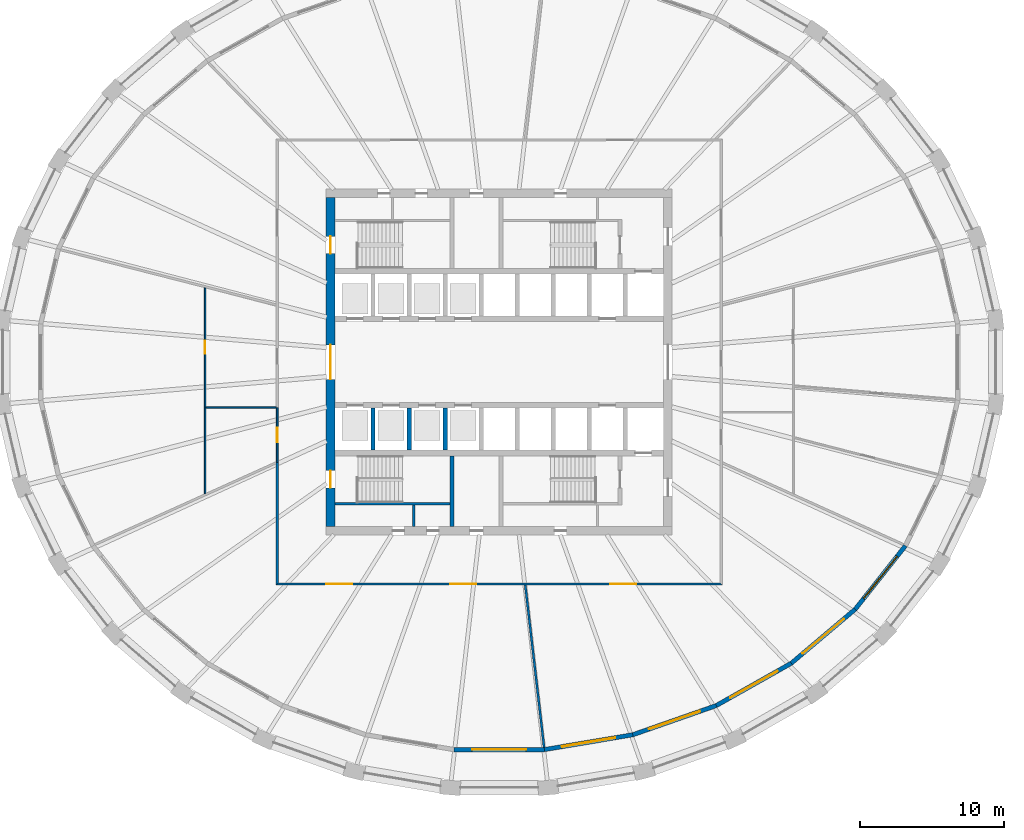
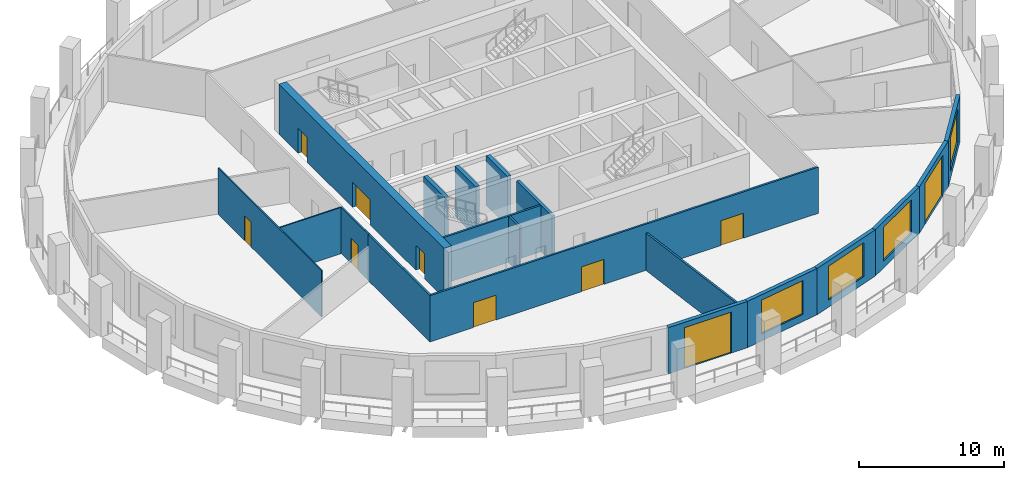
# One storey, part 3 of 10: 19 walls, 10 doors, 4 windows, 14 openings.
"""IFC4 building model written with IfcOpenShell, lengths in metres."""

from ifc_helpers import new_model, si_unit, direction, frame, frame_2d, origin, place, context, subcontext, project, spatial, polyline, rectangle, outline, extrude, material, layer, layer_set, type_object, element, fill, save


model = new_model("IFC4")

# Units and contexts
model_context = context("Model", 3, precision=1e-05, world=origin(), true_north=direction((0.0, 1.0)))
body_context = subcontext(model_context, "Body", "Model", "MODEL_VIEW")
ifc_project = project(units=[si_unit("LENGTHUNIT", "METRE"), si_unit("AREAUNIT", "SQUARE_METRE"), si_unit("VOLUMEUNIT", "CUBIC_METRE"), si_unit("PLANEANGLEUNIT", "RADIAN"), si_unit("MASSUNIT", "GRAM", prefix="KILO")], contexts=[model_context])

# Site, building, storey
site_placement = place(None, origin())
site = spatial("IfcSite", under=ifc_project, at=site_placement, CompositionType="ELEMENT")
building_placement = place(site_placement, origin())
building = spatial("IfcBuilding", under=site, at=building_placement, Name="Halqa Exchange Tower", CompositionType="ELEMENT")
storey_placement = place(building_placement, frame((0.0, 0.0, 133.89990234375)))
storey = spatial("IfcBuildingStorey", under=building, at=storey_placement, Name="L30", CompositionType="ELEMENT", Elevation=133.89990234375)

# Wall
ifc_material_1 = material(Name="Fire-rated gypsum board")
ifc_layer_1 = layer(ifc_material_1, 0.14990234375)
ifc_layer_set_1 = layer_set([ifc_layer_1], Name="Fire-rated gypsum board")
wall_type_1 = type_object("IfcWallType", Name="Fire partition EI 60 150", PredefinedType="PARTITIONING", material=ifc_layer_set_1)
wall_1_placement = place(storey_placement, frame((-15.39990234375, -15.47509765625, 0.0), z_axis=(0.0, 0.0, 1.0), x_axis=(0.0, 1.0, 0.0)))
element("IfcWall", 1, at=wall_1_placement, inside=storey, type_object=wall_type_1, Name="L30-PWL-005", PredefinedType="PARTITIONING", context=body_context, shape_type="SweptSolid", body=[
    extrude(outline(polyline([(8.525146484375, 0.074951171875), (6.820068359375, 0.074951171875), (5.115234375, 0.074951171875), (3.41015625, 0.074951171875), (1.705322265625, 0.074951171875), (0.000244140625, 0.074951171875), (0.150146484375, -0.074951171875), (1.8251953125, -0.074951171875), (3.500244140625, -0.074951171875), (5.175048828125, -0.074951171875), (6.85009765625, -0.074951171875), (8.525146484375, -0.074951171875), (8.525146484375, 0.074951171875)])), origin(), (0.0, 0.0, 1.0), 3.900146484375),
])

# Wall, openings, doors
wall_2_placement = place(storey_placement, frame((-15.47509765625, -15.39990234375, 0.0), z_axis=(0.0, 0.0, 1.0), x_axis=(1.0, 0.0, 0.0)))
wall_2 = element("IfcWall", 2, at=wall_2_placement, inside=storey, type_object=wall_type_1, Name="L30-PWL-006", PredefinedType="PARTITIONING", context=body_context, shape_type="SweptSolid", body=[
    extrude(outline(polyline([(0.000244140625, -0.074951171875), (1.9345703125, -0.074951171875), (3.868896484375, -0.074951171875), (5.80322265625, -0.074951171875), (7.73779296875, -0.074951171875), (9.672119140625, -0.074951171875), (11.6064453125, -0.074951171875), (13.540771484375, -0.074951171875), (15.47509765625, -0.074951171875), (17.409423828125, -0.074951171875), (19.34375, -0.074951171875), (21.278076171875, -0.074951171875), (23.21240234375, -0.074951171875), (25.14697265625, -0.074951171875), (27.081298828125, -0.074951171875), (29.015625, -0.074951171875), (30.949951171875, -0.074951171875), (30.800048828125, 0.074951171875), (28.884521484375, 0.074951171875), (26.96875, 0.074951171875), (25.05322265625, 0.074951171875), (23.1376953125, 0.074951171875), (21.221923828125, 0.074951171875), (19.306396484375, 0.074951171875), (17.390625, 0.074951171875), (15.47509765625, 0.074951171875), (13.5595703125, 0.074951171875), (11.643798828125, 0.074951171875), (9.728271484375, 0.074951171875), (7.8125, 0.074951171875), (5.89697265625, 0.074951171875), (3.9814453125, 0.074951171875), (2.065673828125, 0.074951171875), (0.150146484375, 0.074951171875), (0.000244140625, -0.074951171875)])), origin(), (0.0, 0.0, 1.0), 3.900146484375),
])
opening_1_placement = place(wall_2_placement, frame((3.47509765625, 0.0, 0.0)))
opening_1 = element("IfcOpeningElement", 3, at=opening_1_placement, cuts=wall_2, Name="Opening 09-06", PredefinedType="OPENING", context=body_context, shape_type="SweptSolid", body=[
    extrude(rectangle(XDim=1.800048828125, YDim=2.10009765625, at=frame_2d((0.89990234375, 1.050048828125))), frame((0.0, 0.0869140625, 0.0), z_axis=(0.0, -1.0, 0.0), x_axis=(1.0, 0.0, 0.0)), (0.0, 0.0, 1.0), 0.173828125),
])
opening_2_placement = place(wall_2_placement, frame((12.074951171875, 0.0, 0.0)))
opening_2 = element("IfcOpeningElement", 4, at=opening_2_placement, cuts=wall_2, Name="Opening 09-07", PredefinedType="OPENING", context=body_context, shape_type="SweptSolid", body=[
    extrude(rectangle(XDim=1.800048828125, YDim=2.10009765625, at=frame_2d((0.89990234375, 1.050048828125))), frame((0.0, 0.0869140625, 0.0), z_axis=(0.0, -1.0, 0.0), x_axis=(1.0, 0.0, 0.0)), (0.0, 0.0, 1.0), 0.173828125),
])
opening_3_placement = place(wall_2_placement, frame((23.175048828125, 0.0, 0.0)))
opening_3 = element("IfcOpeningElement", 5, at=opening_3_placement, cuts=wall_2, Name="Opening 09-08", PredefinedType="OPENING", context=body_context, shape_type="SweptSolid", body=[
    extrude(rectangle(XDim=1.800048828125, YDim=2.10009765625, at=frame_2d((0.89990234375, 1.050048828125))), frame((0.0, 0.0869140625, 0.0), z_axis=(0.0, -1.0, 0.0), x_axis=(1.0, 0.0, 0.0)), (0.0, 0.0, 1.0), 0.173828125),
])
ifc_material_2 = material(Name="Steel fire door leaf", Category="steel")
door_type_1 = type_object("IfcDoorType", Name="Fire door FD30S double 1800 x 2100", OperationType="DOUBLE_DOOR_SINGLE_SWING", PredefinedType="DOOR", material=ifc_material_2)
door_1_placement = place(opening_1_placement, frame((1.800048828125, 0.0, 0.0), z_axis=(0.0, 0.0, 1.0), x_axis=(-1.0, 0.0, 0.0)))
door_1 = element("IfcDoor", 6, at=door_1_placement, inside=storey, type_object=door_type_1, Name="L30-IDR-006", OperationType="DOUBLE_DOOR_SINGLE_SWING", OverallHeight=2.10009765625, OverallWidth=1.800048828125, PredefinedType="DOOR", context=body_context, shape_type="SweptSolid", body=[
    extrude(rectangle(XDim=1.800048828125, YDim=2.10009765625, at=frame_2d((0.89990234375, 1.050048828125))), frame((0.0, 0.02490234375, 0.0), z_axis=(0.0, -1.0, 0.0), x_axis=(1.0, 0.0, 0.0)), (0.0, 0.0, 1.0), 0.050048828125),
])
fill(opening_1, door_1)
door_2_placement = place(opening_2_placement, frame((1.800048828125, 0.0, 0.0), z_axis=(0.0, 0.0, 1.0), x_axis=(-1.0, 0.0, 0.0)))
door_2 = element("IfcDoor", 7, at=door_2_placement, inside=storey, type_object=door_type_1, Name="L30-IDR-007", OperationType="DOUBLE_DOOR_SINGLE_SWING", OverallHeight=2.10009765625, OverallWidth=1.800048828125, PredefinedType="DOOR", context=body_context, shape_type="SweptSolid", body=[
    extrude(rectangle(XDim=1.800048828125, YDim=2.10009765625, at=frame_2d((0.89990234375, 1.050048828125))), frame((0.0, 0.02490234375, 0.0), z_axis=(0.0, -1.0, 0.0), x_axis=(1.0, 0.0, 0.0)), (0.0, 0.0, 1.0), 0.050048828125),
])
fill(opening_2, door_2)
door_3_placement = place(opening_3_placement, frame((1.800048828125, 0.0, 0.0), z_axis=(0.0, 0.0, 1.0), x_axis=(-1.0, 0.0, 0.0)))
door_3 = element("IfcDoor", 8, at=door_3_placement, inside=storey, type_object=door_type_1, Name="L30-IDR-008", OperationType="DOUBLE_DOOR_SINGLE_SWING", OverallHeight=2.10009765625, OverallWidth=1.800048828125, PredefinedType="DOOR", context=body_context, shape_type="SweptSolid", body=[
    extrude(rectangle(XDim=1.800048828125, YDim=2.10009765625, at=frame_2d((0.89990234375, 1.050048828125))), frame((0.0, 0.02490234375, 0.0), z_axis=(0.0, -1.0, 0.0), x_axis=(1.0, 0.0, 0.0)), (0.0, 0.0, 1.0), 0.050048828125),
])
fill(opening_3, door_3)

# Wall
wall_3_placement = place(storey_placement, frame((1.8076171875, -15.466552734375, 0.0), z_axis=(0.0, 0.0, 1.0), x_axis=(0.115308163836, -0.993329767677, 0.0)))
element("IfcWall", 9, at=wall_3_placement, inside=storey, type_object=wall_type_1, Name="L30-PWL-011", PredefinedType="PARTITIONING", context=body_context, shape_type="SweptSolid", body=[
    extrude(outline(polyline([(0.0, -0.074951171875), (1.888916015625, -0.074951171875), (3.777587890625, -0.074951171875), (5.66650390625, -0.074951171875), (7.55517578125, -0.074951171875), (9.444091796875, -0.074951171875), (11.332763671875, -0.074951171875), (11.338134765625, -0.029052734375), (11.338134765625, 0.072509765625), (11.337890625, 0.074951171875), (9.451171875, 0.074951171875), (7.564453125, 0.074951171875), (5.677490234375, 0.074951171875), (3.790771484375, 0.074951171875), (1.904052734375, 0.074951171875), (0.01708984375, 0.074951171875), (0.0, -0.0732421875), (0.0, -0.074951171875)])), origin(), (0.0, 0.0, 1.0), 3.147216796875),
])

# Wall, opening, door
ifc_material_3 = material(Name="Fire-rated glazing", Category="glass")
ifc_layer_2 = layer(ifc_material_3, 0.1201171875)
ifc_layer_set_2 = layer_set([ifc_layer_2], Name="Fire-rated glazing")
wall_type_2 = type_object("IfcWallType", Name="Glazed fire partition EI 60 120", PredefinedType="PARTITIONING", material=ifc_layer_set_2)
wall_4_placement = place(storey_placement, frame((-15.39990234375, -6.949951171875, 0.0), z_axis=(0.0, 0.0, 1.0), x_axis=(0.0, 1.0, 0.0)))
wall_4 = element("IfcWall", 10, at=wall_4_placement, inside=storey, type_object=wall_type_2, Name="L30-PWL-007", PredefinedType="PARTITIONING", context=body_context, shape_type="SweptSolid", body=[
    extrude(rectangle(XDim=3.7900390625, YDim=0.1201171875, at=frame_2d((1.89501953125, 0.0))), origin(), (0.0, 0.0, 1.0), 3.900146484375),
])
opening_4_placement = place(wall_4_placement, frame((1.39501953125, 0.0, 0.0)))
opening_4 = element("IfcOpeningElement", 11, at=opening_4_placement, cuts=wall_4, Name="Opening 09-04", PredefinedType="OPENING", context=body_context, shape_type="SweptSolid", body=[
    extrude(rectangle(XDim=1.0, YDim=2.10009765625, at=frame_2d((0.5, 1.050048828125))), frame((0.0, 0.072021484375, 0.0), z_axis=(0.0, -1.0, 0.0), x_axis=(1.0, 0.0, 0.0)), (0.0, 0.0, 1.0), 0.14404296875),
])
door_type_2 = type_object("IfcDoorType", Name="Fire door FD30S 1000 x 2100", OperationType="SINGLE_SWING_LEFT", PredefinedType="DOOR", material=ifc_material_2)
door_4_placement = place(opening_4_placement, origin())
door_4 = element("IfcDoor", 12, at=door_4_placement, inside=storey, type_object=door_type_2, Name="L30-IDR-004", OperationType="SINGLE_SWING_LEFT", OverallHeight=2.10009765625, OverallWidth=1.0, PredefinedType="DOOR", context=body_context, shape_type="SweptSolid", body=[
    extrude(rectangle(XDim=1.0, YDim=2.10009765625, at=frame_2d((0.5, 1.050048828125))), frame((0.0, 0.02490234375, 0.0), z_axis=(0.0, -1.0, 0.0), x_axis=(1.0, 0.0, 0.0)), (0.0, 0.0, 1.0), 0.050048828125),
])
fill(opening_4, door_4)

ifc_material_4 = material(Name="Gypsum board")
ifc_layer_3 = layer(ifc_material_4, 0.10009765625)
ifc_layer_set_3 = layer_set([ifc_layer_3], Name="Gypsum board")
wall_type_3 = type_object("IfcWallType", Name="Partition 100 gypsum", PredefinedType="PARTITIONING", material=ifc_layer_set_3)
wall_5_placement = place(storey_placement, frame((-20.39990234375, -9.1484375, 0.0), z_axis=(0.0, 0.0, 1.0), x_axis=(0.0, 1.0, 0.0)))
wall_5 = element("IfcWall", 13, at=wall_5_placement, inside=storey, type_object=wall_type_3, Name="L30-PWL-003", PredefinedType="PARTITIONING", context=body_context, shape_type="SweptSolid", body=[
    extrude(outline(polyline([(0.044921875, -0.050048828125), (2.009521484375, -0.050048828125), (3.973876953125, -0.050048828125), (5.9384765625, -0.050048828125), (5.9384765625, -0.0498046875), (6.038330078125, -0.0498046875), (6.038330078125, -0.050048828125), (7.68798828125, -0.050048828125), (9.337890625, -0.050048828125), (10.987548828125, -0.050048828125), (12.63720703125, -0.050048828125), (14.286865234375, -0.050048828125), (14.31201171875, 0.048828125), (14.31201171875, 0.050048828125), (12.52294921875, 0.050048828125), (10.73388671875, 0.050048828125), (8.945068359375, 0.050048828125), (7.156005859375, 0.050048828125), (5.366943359375, 0.050048828125), (3.578125, 0.050048828125), (1.7890625, 0.050048828125), (0.0, 0.050048828125), (0.0, 0.049560546875), (0.044921875, -0.050048828125)])), origin(), (0.0, 0.0, 1.0), 3.900146484375),
])
opening_5_placement = place(wall_5_placement, frame((9.7333984375, 0.0, 0.0)))
opening_5 = element("IfcOpeningElement", 14, at=opening_5_placement, cuts=wall_5, Name="Opening 09-12", PredefinedType="OPENING", context=body_context, shape_type="SweptSolid", body=[
    extrude(rectangle(XDim=0.89990234375, YDim=2.10009765625, at=frame_2d((0.449951171875, 1.050048828125))), frame((0.0, 0.06201171875, 0.0), z_axis=(0.0, -1.0, 0.0), x_axis=(1.0, 0.0, 0.0)), (0.0, 0.0, 1.0), 0.1240234375),
])
ifc_material_5 = material(Name="Timber door leaf", Category="wood")
door_type_3 = type_object("IfcDoorType", Name="Door 900 x 2100", OperationType="SINGLE_SWING_LEFT", PredefinedType="DOOR", material=ifc_material_5)
door_5_placement = place(opening_5_placement, frame((0.89990234375, 0.0, 0.0), z_axis=(0.0, 0.0, 1.0), x_axis=(-1.0, 0.0, 0.0)))
door_5 = element("IfcDoor", 15, at=door_5_placement, inside=storey, type_object=door_type_3, Name="L30-IDR-012", OperationType="SINGLE_SWING_RIGHT", OverallHeight=2.10009765625, OverallWidth=0.89990234375, PredefinedType="DOOR", context=body_context, shape_type="SweptSolid", body=[
    extrude(rectangle(XDim=0.89990234375, YDim=2.10009765625, at=frame_2d((0.449951171875, 1.050048828125))), frame((0.0, 0.02490234375, 0.0), z_axis=(0.0, -1.0, 0.0), x_axis=(1.0, 0.0, 0.0)), (0.0, 0.0, 1.0), 0.050048828125),
])
fill(opening_5, door_5)

# Walls
wall_6_placement = place(storey_placement, frame((-20.35009765625, -3.159912109375, 0.0), z_axis=(0.0, 0.0, 1.0), x_axis=(1.0, 0.0, 0.0)))
element("IfcWall", 16, at=wall_6_placement, inside=storey, type_object=wall_type_3, Name="L30-PWL-004", PredefinedType="PARTITIONING", context=body_context, shape_type="SweptSolid", body=[
    extrude(outline(polyline([(4.8896484375, -0.050048828125), (4.8896484375, 0.0), (4.875, 0.0), (4.875, 0.050048828125), (3.25, 0.050048828125), (1.625, 0.050048828125), (0.0, 0.050048828125), (0.0, -0.050048828125), (1.6298828125, -0.050048828125), (3.259765625, -0.050048828125), (4.8896484375, -0.050048828125)])), origin(), (0.0, 0.0, 1.0), 3.900146484375),
])
ifc_layer_4 = layer(ifc_material_4, 0.14990234375)
ifc_layer_set_4 = layer_set([ifc_layer_4], Name="Gypsum board")
wall_type_4 = type_object("IfcWallType", Name="Penthouse riser wall 150 gypsum", PredefinedType="PARTITIONING", material=ifc_layer_set_4)
wall_7_placement = place(storey_placement, frame((-5.925048828125, -11.39990234375, 0.0), z_axis=(0.0, 0.0, 1.0), x_axis=(0.0, 1.0, 0.0)))
element("IfcWall", 17, at=wall_7_placement, inside=storey, type_object=wall_type_4, Name="Partition W5.925 S", PredefinedType="PARTITIONING", context=body_context, shape_type="SweptSolid", body=[
    extrude(rectangle(XDim=1.5, YDim=0.14990234375, at=frame_2d((0.75, 0.0))), origin(), (0.0, 0.0, 1.0), 3.900146484375),
])
ifc_material_6 = material(Name="Concrete C60/75", Category="concrete")
ifc_layer_5 = layer(ifc_material_6, 0.300048828125)
ifc_layer_set_5 = layer_set([ifc_layer_5], Name="Concrete C60/75")
wall_type_5 = type_object("IfcWallType", Name="RC core wall 300", PredefinedType="SHEAR", material=ifc_layer_set_5)
for number, where, z_axis, x_axis, name in (
    (18, (-8.75, -6.10009765625, 0.0), (0.0, 0.0, 1.0), (0.0, 1.0, 0.0), "Shaft divider S1"),
    (19, (-6.25, -6.10009765625, 0.0), (0.0, 0.0, 1.0), (0.0, 1.0, 0.0), "Shaft divider S2"),
    (20, (-3.75, -6.10009765625, 0.0), (0.0, 0.0, 1.0), (0.0, 1.0, 0.0), "Shaft divider S3"),
):
    element("IfcWall", number, at=place(storey_placement, frame(where, z_axis=z_axis, x_axis=x_axis)), inside=storey, type_object=wall_type_5, Name=name, PredefinedType="SHEAR", context=body_context, shape_type="SweptSolid", body=[
        extrude(rectangle(XDim=2.900146484375, YDim=0.300048828125, at=frame_2d((1.4501953125, 0.0))), origin(), (0.0, 0.0, 1.0), 4.2001953125),
    ])

# Wall, openings, doors
ifc_material_7 = material(Name="Concrete C70/85", Category="concrete")
ifc_layer_6 = layer(ifc_material_7, 0.60009765625)
ifc_layer_set_6 = layer_set([ifc_layer_6], Name="Concrete C70/85")
wall_type_6 = type_object("IfcWallType", Name="RC core wall 600 C70/85", PredefinedType="SHEAR", material=ifc_layer_set_6)
wall_8_placement = place(storey_placement, frame((-11.699951171875, -11.39990234375, 0.0), z_axis=(0.0, 0.0, 1.0), x_axis=(0.0, 1.0, 0.0)))
wall_8 = element("IfcWall", 21, at=wall_8_placement, inside=storey, type_object=wall_type_6, Name="Core wall west", PredefinedType="SHEAR", context=body_context, shape_type="SweptSolid", body=[
    extrude(rectangle(XDim=22.7998046875, YDim=0.60009765625, at=frame_2d((11.39990234375, 0.0))), origin(), (0.0, 0.0, 1.0), 4.2001953125),
])
opening_6_placement = place(wall_8_placement, frame((10.199951171875, 0.0, 0.0)))
opening_6 = element("IfcOpeningElement", 22, at=opening_6_placement, cuts=wall_8, Name="Opening T09-C13", PredefinedType="OPENING", context=body_context, shape_type="SweptSolid", body=[
    extrude(rectangle(XDim=2.39990234375, YDim=2.10009765625, at=frame_2d((1.199951171875, 1.050048828125))), frame((0.0, 0.31201171875, 0.0), z_axis=(0.0, -1.0, 0.0), x_axis=(1.0, 0.0, 0.0)), (0.0, 0.0, 1.0), 0.6240234375),
])
opening_7_placement = place(wall_8_placement, frame((18.925048828125, 0.0, 0.0)))
opening_7 = element("IfcOpeningElement", 23, at=opening_7_placement, cuts=wall_8, Name="Opening T09-C15", PredefinedType="OPENING", context=body_context, shape_type="SweptSolid", body=[
    extrude(rectangle(XDim=1.199951171875, YDim=2.10009765625, at=frame_2d((0.60009765625, 1.050048828125))), frame((0.0, 0.31201171875, 0.0), z_axis=(0.0, -1.0, 0.0), x_axis=(1.0, 0.0, 0.0)), (0.0, 0.0, 1.0), 0.6240234375),
])
opening_8_placement = place(wall_8_placement, frame((2.675048828125, 0.0, 0.0)))
opening_8 = element("IfcOpeningElement", 24, at=opening_8_placement, cuts=wall_8, Name="Opening T09-C17", PredefinedType="OPENING", context=body_context, shape_type="SweptSolid", body=[
    extrude(rectangle(XDim=1.199951171875, YDim=2.10009765625, at=frame_2d((0.60009765625, 1.050048828125))), frame((0.0, 0.31201171875, 0.0), z_axis=(0.0, -1.0, 0.0), x_axis=(1.0, 0.0, 0.0)), (0.0, 0.0, 1.0), 0.6240234375),
])
door_type_4 = type_object("IfcDoorType", Name="Lobby double door FD60 2400 x 2100", OperationType="DOUBLE_DOOR_SINGLE_SWING", PredefinedType="DOOR", material=ifc_material_2)
door_6_placement = place(opening_6_placement, frame((2.39990234375, 0.0, 0.0), z_axis=(0.0, 0.0, 1.0), x_axis=(-1.0, 0.0, 0.0)))
door_6 = element("IfcDoor", 25, at=door_6_placement, inside=storey, type_object=door_type_4, Name="Lift lobby double door", OperationType="DOUBLE_DOOR_SINGLE_SWING", OverallHeight=2.10009765625, OverallWidth=2.39990234375, PredefinedType="DOOR", context=body_context, shape_type="SweptSolid", body=[
    extrude(rectangle(XDim=2.39990234375, YDim=2.10009765625, at=frame_2d((1.199951171875, 1.050048828125))), frame((0.0, 0.02490234375, 0.0), z_axis=(0.0, -1.0, 0.0), x_axis=(1.0, 0.0, 0.0)), (0.0, 0.0, 1.0), 0.050048828125),
])
fill(opening_6, door_6)
door_type_5 = type_object("IfcDoorType", Name="Stair door FD90 1200 x 2100", OperationType="SINGLE_SWING_LEFT", PredefinedType="DOOR", material=ifc_material_2)
door_7_placement = place(opening_7_placement, frame((1.199951171875, 0.0, 0.0), z_axis=(0.0, 0.0, 1.0), x_axis=(-1.0, 0.0, 0.0)))
door_7 = element("IfcDoor", 26, at=door_7_placement, inside=storey, type_object=door_type_5, Name="Stair door ST1", OperationType="SINGLE_SWING_RIGHT", OverallHeight=2.10009765625, OverallWidth=1.199951171875, PredefinedType="DOOR", context=body_context, shape_type="SweptSolid", body=[
    extrude(rectangle(XDim=1.199951171875, YDim=2.10009765625, at=frame_2d((0.60009765625, 1.050048828125))), frame((0.0, 0.02490234375, 0.0), z_axis=(0.0, -1.0, 0.0), x_axis=(1.0, 0.0, 0.0)), (0.0, 0.0, 1.0), 0.050048828125),
])
fill(opening_7, door_7)
door_8_placement = place(opening_8_placement, frame((1.199951171875, 0.0, 0.0), z_axis=(0.0, 0.0, 1.0), x_axis=(-1.0, 0.0, 0.0)))
door_8 = element("IfcDoor", 27, at=door_8_placement, inside=storey, type_object=door_type_5, Name="Stair door ST3", OperationType="SINGLE_SWING_RIGHT", OverallHeight=2.10009765625, OverallWidth=1.199951171875, PredefinedType="DOOR", context=body_context, shape_type="SweptSolid", body=[
    extrude(rectangle(XDim=1.199951171875, YDim=2.10009765625, at=frame_2d((0.60009765625, 1.050048828125))), frame((0.0, 0.02490234375, 0.0), z_axis=(0.0, -1.0, 0.0), x_axis=(1.0, 0.0, 0.0)), (0.0, 0.0, 1.0), 0.050048828125),
])
fill(opening_8, door_8)

# Walls
ifc_material_8 = material(Name="Concrete C30/37", Category="concrete")
ifc_layer_7 = layer(ifc_material_8, 0.14990234375)
ifc_layer_set_7 = layer_set([ifc_layer_7], Name="Concrete C30/37")
wall_type_7 = type_object("IfcWallType", Name="RC stair wall 150 C30/37", PredefinedType="SHEAR", material=ifc_layer_set_7)
wall_9_placement = place(storey_placement, frame((-11.39990234375, -9.824951171875, 0.0), z_axis=(0.0, 0.0, 1.0), x_axis=(1.0, 0.0, 0.0)))
element("IfcWall", 28, at=wall_9_placement, inside=storey, type_object=wall_type_7, Name="Stair ST1 north wall S", PredefinedType="SHEAR", context=body_context, shape_type="SweptSolid", body=[
    extrude(rectangle(XDim=8.0, YDim=0.14990234375, at=frame_2d((4.0, 0.0))), origin(), (0.0, 0.0, 1.0), 3.900146484375),
])
ifc_layer_8 = layer(ifc_material_8, 0.25)
ifc_layer_set_8 = layer_set([ifc_layer_8], Name="Concrete C30/37")
wall_type_8 = type_object("IfcWallType", Name="RC stair wall 250 C30/37", PredefinedType="SHEAR", material=ifc_layer_set_8)
wall_10_placement = place(storey_placement, frame((-3.27490234375, -11.39990234375, 0.0), z_axis=(0.0, 0.0, 1.0), x_axis=(0.0, 1.0, 0.0)))
element("IfcWall", 29, at=wall_10_placement, inside=storey, type_object=wall_type_8, Name="Stair ST1 east wall S", PredefinedType="SHEAR", context=body_context, shape_type="SweptSolid", body=[
    extrude(rectangle(XDim=4.89990234375, YDim=0.25, at=frame_2d((2.449951171875, 0.0))), origin(), (0.0, 0.0, 1.0), 3.900146484375),
])

# Wall, opening, door
ifc_material_9 = material(Name="Limestone cladding", Category="masonry")
ifc_layer_9 = layer(ifc_material_9, 0.0400390625)
ifc_material_10 = material(Name="Ventilated cavity")
ifc_layer_10 = layer(ifc_material_10, 0.030029296875, ventilated=True)
ifc_material_11 = material(Name="Mineral wool insulation")
ifc_layer_11 = layer(ifc_material_11, 0.10009765625)
ifc_layer_12 = layer(ifc_material_8, 0.10009765625)
ifc_material_12 = material(Name="Internal plaster")
ifc_layer_13 = layer(ifc_material_12, 0.030029296875)
ifc_layer_set_9 = layer_set([ifc_layer_9, ifc_layer_10, ifc_layer_11, ifc_layer_12, ifc_layer_13], Name="Stone-faced insulated wall 300")
wall_type_9 = type_object("IfcWallType", Name="Stone-faced insulated wall 300", PredefinedType="STANDARD", material=ifc_layer_set_9)
wall_11_placement = place(storey_placement, frame((-3.1298828125, -26.88232421875, 0.0), z_axis=(0.0, 0.0, 1.0), x_axis=(1.0, 0.0, 0.0)))
wall_11 = element("IfcWall", 30, at=wall_11_placement, inside=storey, type_object=wall_type_9, Name="Glass-line wall 24", PredefinedType="STANDARD", context=body_context, shape_type="SweptSolid", body=[
    extrude(outline(polyline([(-0.012451171875, -0.14990234375), (6.272216796875, -0.14990234375), (6.247314453125, 0.14990234375), (0.012451171875, 0.14990234375), (-0.012451171875, -0.14990234375)])), origin(), (0.0, 0.0, 1.0), 3.900146484375),
])
opening_9_placement = place(wall_11_placement, frame((1.2548828125, 0.0, 0.0)))
opening_9 = element("IfcOpeningElement", 31, at=opening_9_placement, cuts=wall_11, Name="Opening LG-F2-06", PredefinedType="OPENING", context=body_context, shape_type="SweptSolid", body=[
    extrude(rectangle(XDim=3.75, YDim=3.449951171875, at=frame_2d((1.875, 1.72509765625))), frame((0.0, 0.162109375, 0.0), z_axis=(0.0, -1.0, 0.0), x_axis=(1.0, 0.0, 0.0)), (0.0, 0.0, 1.0), 0.323974609375),
])
ifc_material_13 = material(Name="Clear low-emissivity glass in aluminium frame", Category="aluminium")
door_type_6 = type_object("IfcDoorType", Name="Glazed sliding loggia door 3750 x 3450", OperationType="DOUBLE_DOOR_SLIDING", PredefinedType="DOOR", material=ifc_material_13)
door_9_placement = place(opening_9_placement, origin())
door_9 = element("IfcDoor", 32, at=door_9_placement, inside=storey, type_object=door_type_6, Name="Loggia door 6", OperationType="DOUBLE_DOOR_SLIDING", OverallHeight=3.449951171875, OverallWidth=3.75, PredefinedType="DOOR", context=body_context, shape_type="SweptSolid", body=[
    extrude(rectangle(XDim=3.75, YDim=3.449951171875, at=frame_2d((1.875, 1.72509765625))), frame((0.0, 0.02490234375, 0.0), z_axis=(0.0, -1.0, 0.0), x_axis=(1.0, 0.0, 0.0)), (0.0, 0.0, 1.0), 0.050048828125),
])
fill(opening_9, door_9)

# Wall, opening, window
wall_12_placement = place(storey_placement, frame((3.1298828125, -26.88232421875, 0.0), z_axis=(0.0, 0.0, 1.0), x_axis=(0.9861811474, 0.165670590368, 0.0)))
wall_12 = element("IfcWall", 33, at=wall_12_placement, inside=storey, type_object=wall_type_9, Name="Glass-line wall 25", PredefinedType="STANDARD", context=body_context, shape_type="SweptSolid", body=[
    extrude(outline(polyline([(-0.012451171875, -0.14990234375), (6.23876953125, -0.14990234375), (6.21337890625, 0.14990234375), (0.012451171875, 0.14990234375), (-0.012451171875, -0.14990234375)])), origin(), (0.0, 0.0, 1.0), 3.900146484375),
])
opening_10_placement = place(wall_12_placement, frame((1.238037109375, 0.0, 0.60009765625)))
opening_10 = element("IfcOpeningElement", 34, at=opening_10_placement, cuts=wall_12, Name="Opening W-F2-25", PredefinedType="OPENING", context=body_context, shape_type="SweptSolid", body=[
    extrude(rectangle(XDim=3.75, YDim=2.85009765625, at=frame_2d((1.875, 1.425048828125))), frame((0.0, 0.162109375, 0.0), z_axis=(0.0, -1.0, 0.0), x_axis=(1.0, 0.0, 0.0)), (0.0, 0.0, 1.0), 0.323974609375),
])
window_type = type_object("IfcWindowType", Name="Fixed clear glazed window 3750 x 2850", PartitioningType="TRIPLE_PANEL_VERTICAL", PredefinedType="WINDOW", material=ifc_material_13)
window_1_placement = place(opening_10_placement, origin())
window_1 = element("IfcWindow", 35, at=window_1_placement, inside=storey, type_object=window_type, Name="Window 2", OverallHeight=2.85009765625, OverallWidth=3.75, PartitioningType="TRIPLE_PANEL_VERTICAL", PredefinedType="WINDOW", context=body_context, shape_type="SweptSolid", body=[
    extrude(rectangle(XDim=3.75, YDim=2.85009765625, at=frame_2d((1.875, 1.425048828125))), frame((0.0, 0.030029296875, 0.0), z_axis=(0.0, -1.0, 0.0), x_axis=(1.0, 0.0, 0.0)), (0.0, 0.0, 1.0), 0.06005859375),
])
fill(opening_10, window_1)

wall_13_placement = place(storey_placement, frame((9.27001953125, -25.850830078125, 0.0), z_axis=(0.0, 0.0, 1.0), x_axis=(0.943911133508, 0.330199594245, 0.0)))
wall_13 = element("IfcWall", 36, at=wall_13_placement, inside=storey, type_object=wall_type_9, Name="Glass-line wall 26", PredefinedType="STANDARD", context=body_context, shape_type="SweptSolid", body=[
    extrude(outline(polyline([(-0.0126953125, -0.14990234375), (6.14208984375, -0.14990234375), (6.115234375, 0.14990234375), (0.0126953125, 0.14990234375), (-0.0126953125, -0.14990234375)])), origin(), (0.0, 0.0, 1.0), 3.900146484375),
])
opening_11_placement = place(wall_13_placement, frame((1.189208984375, 0.0, 0.60009765625)))
opening_11 = element("IfcOpeningElement", 37, at=opening_11_placement, cuts=wall_13, Name="Opening W-F2-26", PredefinedType="OPENING", context=body_context, shape_type="SweptSolid", body=[
    extrude(rectangle(XDim=3.75, YDim=2.85009765625, at=frame_2d((1.875, 1.425048828125))), frame((0.0, 0.162109375, 0.0), z_axis=(0.0, -1.0, 0.0), x_axis=(1.0, 0.0, 0.0)), (0.0, 0.0, 1.0), 0.323974609375),
])
window_2_placement = place(opening_11_placement, origin())
window_2 = element("IfcWindow", 38, at=window_2_placement, inside=storey, type_object=window_type, Name="Window 2", OverallHeight=2.85009765625, OverallWidth=3.75, PartitioningType="TRIPLE_PANEL_VERTICAL", PredefinedType="WINDOW", context=body_context, shape_type="SweptSolid", body=[
    extrude(rectangle(XDim=3.75, YDim=2.85009765625, at=frame_2d((1.875, 1.425048828125))), frame((0.0, 0.030029296875, 0.0), z_axis=(0.0, -1.0, 0.0), x_axis=(1.0, 0.0, 0.0)), (0.0, 0.0, 1.0), 0.06005859375),
])
fill(opening_11, window_2)

wall_14_placement = place(storey_placement, frame((15.054931640625, -23.8271484375, 0.0), z_axis=(0.0, 0.0, 1.0), x_axis=(0.87090857883, 0.491445060327, 0.0)))
wall_14 = element("IfcWall", 39, at=wall_14_placement, inside=storey, type_object=wall_type_9, Name="Glass-line wall 27", PredefinedType="STANDARD", context=body_context, shape_type="SweptSolid", body=[
    extrude(outline(polyline([(-0.013427734375, -0.14990234375), (5.994384765625, -0.14990234375), (5.966064453125, 0.14990234375), (0.013427734375, 0.14990234375), (-0.013427734375, -0.14990234375)])), origin(), (0.0, 0.0, 1.0), 3.900146484375),
])
opening_12_placement = place(wall_14_placement, frame((1.114990234375, 0.0, 0.60009765625)))
opening_12 = element("IfcOpeningElement", 40, at=opening_12_placement, cuts=wall_14, Name="Opening W-F2-27", PredefinedType="OPENING", context=body_context, shape_type="SweptSolid", body=[
    extrude(rectangle(XDim=3.75, YDim=2.85009765625, at=frame_2d((1.875, 1.425048828125))), frame((0.0, 0.162109375, 0.0), z_axis=(0.0, -1.0, 0.0), x_axis=(1.0, 0.0, 0.0)), (0.0, 0.0, 1.0), 0.323974609375),
])
window_3_placement = place(opening_12_placement, origin())
window_3 = element("IfcWindow", 41, at=window_3_placement, inside=storey, type_object=window_type, Name="Window 2", OverallHeight=2.85009765625, OverallWidth=3.75, PartitioningType="TRIPLE_PANEL_VERTICAL", PredefinedType="WINDOW", context=body_context, shape_type="SweptSolid", body=[
    extrude(rectangle(XDim=3.75, YDim=2.85009765625, at=frame_2d((1.875, 1.425048828125))), frame((0.0, 0.030029296875, 0.0), z_axis=(0.0, -1.0, 0.0), x_axis=(1.0, 0.0, 0.0)), (0.0, 0.0, 1.0), 0.06005859375),
])
fill(opening_12, window_3)

# Wall, opening, door
wall_15_placement = place(storey_placement, frame((20.26318359375, -20.88818359375, 0.0), z_axis=(0.0, 0.0, 1.0), x_axis=(0.763963973896, 0.645258898884, 0.0)))
wall_15 = element("IfcWall", 42, at=wall_15_placement, inside=storey, type_object=wall_type_9, Name="Glass-line wall 28", PredefinedType="STANDARD", context=body_context, shape_type="SweptSolid", body=[
    extrude(outline(polyline([(-0.01416015625, -0.14990234375), (5.81494140625, -0.14990234375), (5.78466796875, 0.14990234375), (0.01416015625, 0.14990234375), (-0.01416015625, -0.14990234375)])), origin(), (0.0, 0.0, 1.0), 3.900146484375),
])
opening_13_placement = place(wall_15_placement, frame((1.02490234375, 0.0, 0.0)))
opening_13 = element("IfcOpeningElement", 43, at=opening_13_placement, cuts=wall_15, Name="Opening LG-F2-07", PredefinedType="OPENING", context=body_context, shape_type="SweptSolid", body=[
    extrude(rectangle(XDim=3.75, YDim=3.449951171875, at=frame_2d((1.875, 1.72509765625))), frame((0.0, 0.162109375, 0.0), z_axis=(0.0, -1.0, 0.0), x_axis=(1.0, 0.0, 0.0)), (0.0, 0.0, 1.0), 0.323974609375),
])
door_10_placement = place(opening_13_placement, origin())
door_10 = element("IfcDoor", 44, at=door_10_placement, inside=storey, type_object=door_type_6, Name="Loggia door 7", OperationType="DOUBLE_DOOR_SLIDING", OverallHeight=3.449951171875, OverallWidth=3.75, PredefinedType="DOOR", context=body_context, shape_type="SweptSolid", body=[
    extrude(rectangle(XDim=3.75, YDim=3.449951171875, at=frame_2d((1.875, 1.72509765625))), frame((0.0, 0.02490234375, 0.0), z_axis=(0.0, -1.0, 0.0), x_axis=(1.0, 0.0, 0.0)), (0.0, 0.0, 1.0), 0.050048828125),
])
fill(opening_13, door_10)

# Wall, opening, window
wall_16_placement = place(storey_placement, frame((24.694091796875, -17.145751953125, 0.0), z_axis=(0.0, 0.0, 1.0), x_axis=(0.620464552431, 0.784234492468, 0.0)))
wall_16 = element("IfcWall", 45, at=wall_16_placement, inside=storey, type_object=wall_type_9, Name="Glass-line wall 29", PredefinedType="STANDARD", context=body_context, shape_type="SweptSolid", body=[
    extrude(outline(polyline([(-0.01513671875, -0.14990234375), (5.63037109375, -0.14990234375), (5.59814453125, 0.14990234375), (0.01513671875, 0.14990234375), (-0.01513671875, -0.14990234375)])), origin(), (0.0, 0.0, 1.0), 3.900146484375),
])
opening_14_placement = place(wall_16_placement, frame((0.931884765625, 0.0, 0.60009765625)))
opening_14 = element("IfcOpeningElement", 46, at=opening_14_placement, cuts=wall_16, Name="Opening W-F2-29", PredefinedType="OPENING", context=body_context, shape_type="SweptSolid", body=[
    extrude(rectangle(XDim=3.75, YDim=2.85009765625, at=frame_2d((1.875, 1.425048828125))), frame((0.0, 0.162109375, 0.0), z_axis=(0.0, -1.0, 0.0), x_axis=(1.0, 0.0, 0.0)), (0.0, 0.0, 1.0), 0.323974609375),
])
window_4_placement = place(opening_14_placement, origin())
window_4 = element("IfcWindow", 47, at=window_4_placement, inside=storey, type_object=window_type, Name="Window 2", OverallHeight=2.85009765625, OverallWidth=3.75, PartitioningType="TRIPLE_PANEL_VERTICAL", PredefinedType="WINDOW", context=body_context, shape_type="SweptSolid", body=[
    extrude(rectangle(XDim=3.75, YDim=2.85009765625, at=frame_2d((1.875, 1.425048828125))), frame((0.0, 0.030029296875, 0.0), z_axis=(0.0, -1.0, 0.0), x_axis=(1.0, 0.0, 0.0)), (0.0, 0.0, 1.0), 0.06005859375),
])
fill(opening_14, window_4)

save(model, "model.ifc")
